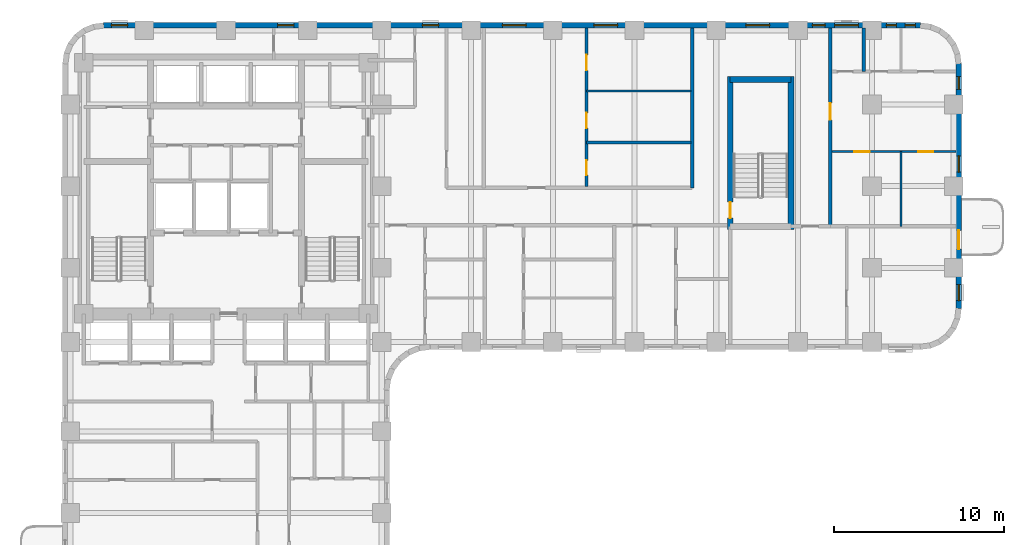
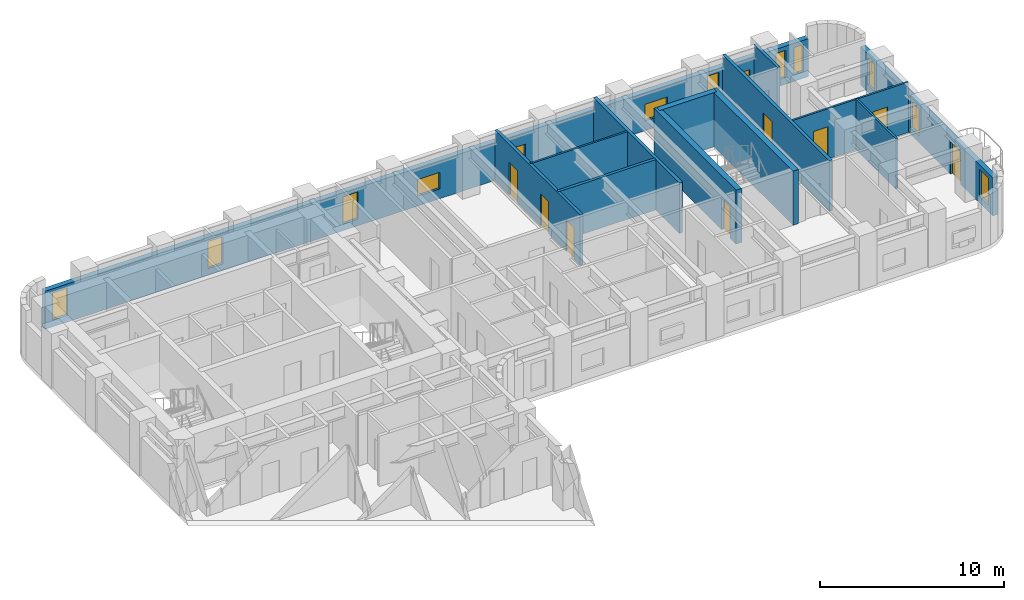
# One storey, part 7 of 11: 13 walls, 13 windows, 8 doors, 21 openings.
"""IFC4 building model written with IfcOpenShell, lengths in metres."""

from ifc_helpers import new_model, si_unit, direction, frame, frame_2d, origin, place, context, subcontext, project, spatial, rectangle, extrude, material, layer, layer_set, type_object, element, fill, save


model = new_model("IFC4")

# Units and contexts
model_context = context("Model", 3, precision=1e-05, world=origin(), true_north=direction((0.0, 1.0)))
body_context = subcontext(model_context, "Body", "Model", "MODEL_VIEW")
ifc_project = project(units=[si_unit("LENGTHUNIT", "METRE"), si_unit("AREAUNIT", "SQUARE_METRE"), si_unit("VOLUMEUNIT", "CUBIC_METRE"), si_unit("PLANEANGLEUNIT", "RADIAN"), si_unit("MASSUNIT", "GRAM", prefix="KILO")], contexts=[model_context])

# Site, building, storey
site_placement = place(None, origin())
site = spatial("IfcSite", under=ifc_project, at=site_placement, CompositionType="ELEMENT")
building_placement = place(site_placement, origin())
building = spatial("IfcBuilding", under=site, at=building_placement, Name="Orvandelia Arch Residences", CompositionType="ELEMENT")
storey_placement = place(building_placement, frame((0.0, 0.0, 53.800048828125)))
storey = spatial("IfcBuildingStorey", under=building, at=storey_placement, Name="L13", CompositionType="ELEMENT", Elevation=53.800048828125)

# Wall, opening, door
ifc_material_1 = material(Name="Concrete C50/60", Category="concrete")
ifc_layer_1 = layer(ifc_material_1, 0.35009765625, Name="Concrete C50/60", Category="concrete")
ifc_layer_set_1 = layer_set([ifc_layer_1], Name="Concrete C50/60")
wall_type_1 = type_object("IfcWallType", Name="WL-CORE-350", PredefinedType="SHEAR", material=ifc_layer_set_1)
wall_1_placement = place(storey_placement, frame((44.02001953125, 35.864990234375, 0.0), z_axis=(0.0, 0.0, 1.0), x_axis=(0.0, 1.0, 0.0)))
wall_1 = element("IfcWall", 1, at=wall_1_placement, inside=storey, type_object=wall_type_1, Name="East Stair Core Shear Wall L13-W", PredefinedType="SHEAR", context=body_context, shape_type="SweptSolid", body=[
    extrude(rectangle(XDim=8.969970703125, YDim=0.35009765625, at=frame_2d((4.48486328125, 0.0))), origin(), (0.0, 0.0, 1.0), 3.599853515625),
])
opening_1_placement = place(wall_1_placement, frame((0.64990234375, 0.0, 0.0)))
opening_1 = element("IfcOpeningElement", 2, at=opening_1_placement, cuts=wall_1, Name="Opening D7", PredefinedType="OPENING", context=body_context, shape_type="SweptSolid", body=[
    extrude(rectangle(XDim=0.949951171875, YDim=2.10009765625, at=frame_2d((0.47509765625, 1.050048828125))), frame((0.0, 0.18505859375, 0.0), z_axis=(0.0, -1.0, 0.0), x_axis=(1.0, 0.0, 0.0)), (0.0, 0.0, 1.0), 0.3701171875),
])
ifc_material_2 = material(Name="Pressurised Stairwell Fire Door")
door_type_1 = type_object("IfcDoorType", Name="DR-STAIR-950", OperationType="NOTDEFINED", PredefinedType="DOOR", material=ifc_material_2)
door_1_placement = place(opening_1_placement, origin())
door_1 = element("IfcDoor", 3, at=door_1_placement, inside=storey, type_object=door_type_1, Name="East Stairwell ST-3 Fire Door L13", OperationType="SINGLE_SWING_LEFT", OverallHeight=2.10009765625, OverallWidth=0.949951171875, PredefinedType="DOOR", context=body_context, shape_type="SweptSolid", body=[
    extrude(rectangle(XDim=0.949951171875, YDim=2.10009765625, at=frame_2d((0.47509765625, 1.050048828125))), frame((0.0, 0.02490234375, 0.0), z_axis=(0.0, -1.0, 0.0), x_axis=(1.0, 0.0, 0.0)), (0.0, 0.0, 1.0), 0.050048828125),
])
fill(opening_1, door_1)

# Walls
wall_2_placement = place(storey_placement, frame((47.60009765625, 35.864990234375, 0.0), z_axis=(0.0, 0.0, 1.0), x_axis=(0.0, 1.0, 0.0)))
element("IfcWall", 4, at=wall_2_placement, inside=storey, type_object=wall_type_1, Name="East Stair Core Shear Wall L13-E", PredefinedType="SHEAR", context=body_context, shape_type="SweptSolid", body=[
    extrude(rectangle(XDim=8.969970703125, YDim=0.35009765625, at=frame_2d((4.48486328125, 0.0))), origin(), (0.0, 0.0, 1.0), 3.599853515625),
])
wall_3_placement = place(storey_placement, frame((44.02001953125, 44.659912109375, 0.0), z_axis=(0.0, 0.0, 1.0), x_axis=(1.0, 0.0, 0.0)))
element("IfcWall", 5, at=wall_3_placement, inside=storey, type_object=wall_type_1, Name="East Stair Core Shear Wall L13-N", PredefinedType="SHEAR", context=body_context, shape_type="SweptSolid", body=[
    extrude(rectangle(XDim=3.580078125, YDim=0.35009765625, at=frame_2d((1.7900390625, 0.0))), origin(), (0.0, 0.0, 1.0), 3.599853515625),
])
ifc_material_3 = material(Name="Fire-Rated Corridor Partition")
ifc_layer_2 = layer(ifc_material_3, 0.199951171875, Name="Fire-Rated Corridor Partition")
ifc_layer_set_2 = layer_set([ifc_layer_2], Name="Fire-Rated Corridor Partition")
wall_type_2 = type_object("IfcWallType", Name="WL-CORR-200", PredefinedType="PARTITIONING", material=ifc_layer_set_2)
wall_4_placement = place(storey_placement, frame((41.780029296875, 38.300048828125, 0.0), z_axis=(0.0, 0.0, 1.0), x_axis=(0.0, 1.0, 0.0)))
element("IfcWall", 6, at=wall_4_placement, inside=storey, type_object=wall_type_2, Name="Interior Partition Wall WL-L13-ETV-W", PredefinedType="PARTITIONING", context=body_context, shape_type="SweptSolid", body=[
    extrude(rectangle(XDim=9.3798828125, YDim=0.199951171875, at=frame_2d((4.68994140625, 0.0))), origin(), (0.0, 0.0, 1.0), 3.349853515625),
])

# Wall, opening, door
wall_5_placement = place(storey_placement, frame((49.89990234375, 36.0400390625, 0.0), z_axis=(0.0, 0.0, 1.0), x_axis=(0.0, 1.0, 0.0)))
wall_5 = element("IfcWall", 7, at=wall_5_placement, inside=storey, type_object=wall_type_2, Name="Interior Partition Wall WL-L13-ETE-E", PredefinedType="PARTITIONING", context=body_context, shape_type="SweptSolid", body=[
    extrude(rectangle(XDim=11.639892578125, YDim=0.199951171875, at=frame_2d((5.81982421875, 0.0))), origin(), (0.0, 0.0, 1.0), 3.349853515625),
])
opening_2_placement = place(wall_5_placement, frame((6.25146484375, 0.0, 0.0)))
opening_2 = element("IfcOpeningElement", 8, at=opening_2_placement, cuts=wall_5, Name="Opening D1", PredefinedType="OPENING", context=body_context, shape_type="SweptSolid", body=[
    extrude(rectangle(XDim=0.97998046875, YDim=2.179931640625, at=frame_2d((0.489990234375, 1.08984375))), frame((0.0, 0.10986328125, 0.0), z_axis=(0.0, -1.0, 0.0), x_axis=(1.0, 0.0, 0.0)), (0.0, 0.0, 1.0), 0.219970703125),
])
ifc_material_4 = material(Name="Solid-Core Timber Acoustic Fire Door", Category="wood")
door_type_2 = type_object("IfcDoorType", Name="DR-ENT-980", OperationType="NOTDEFINED", PredefinedType="DOOR", material=ifc_material_4)
door_2_placement = place(opening_2_placement, origin())
door_2 = element("IfcDoor", 9, at=door_2_placement, inside=storey, type_object=door_type_2, Name="Unit L13-10 Entrance Door", OperationType="SINGLE_SWING_RIGHT", OverallHeight=2.179931640625, OverallWidth=0.97998046875, PredefinedType="DOOR", context=body_context, shape_type="SweptSolid", body=[
    extrude(rectangle(XDim=0.97998046875, YDim=2.179931640625, at=frame_2d((0.489990234375, 1.08984375))), frame((0.0, 0.02490234375, 0.0), z_axis=(0.0, -1.0, 0.0), x_axis=(1.0, 0.0, 0.0)), (0.0, 0.0, 1.0), 0.050048828125),
])
fill(opening_2, door_2)

# Wall, openings, windows
ifc_material_5 = material(Name="Precast concrete C40/50", Category="concrete")
ifc_layer_3 = layer(ifc_material_5, 0.320068359375, Name="Precast concrete C40/50", Category="concrete")
ifc_layer_set_3 = layer_set([ifc_layer_3], Name="Precast concrete C40/50")
wall_type_3 = type_object("IfcWallType", Name="WL-EXT-STONE-320", PredefinedType="STANDARD", material=ifc_layer_set_3)
wall_6_placement = place(storey_placement, frame((7.199951171875, 47.840087890625, 0.0), z_axis=(0.0, 0.0, 1.0), x_axis=(1.0, 0.0, 0.0)))
wall_6 = element("IfcWall", 10, at=wall_6_placement, inside=storey, type_object=wall_type_3, Name="Coral-Limestone Precast Facade Wall L13-007", PredefinedType="STANDARD", context=body_context, shape_type="SweptSolid", body=[
    extrude(rectangle(XDim=48.0, YDim=0.320068359375, at=frame_2d((24.0, 0.0))), origin(), (0.0, 0.0, 1.0), 2.530029296875),
])
opening_3_placement = place(wall_6_placement, frame((28.803466796875, 0.0, 0.64990234375)))
opening_3 = element("IfcOpeningElement", 11, at=opening_3_placement, cuts=wall_6, Name="Opening W10", PredefinedType="OPENING", context=body_context, shape_type="SweptSolid", body=[
    extrude(rectangle(XDim=1.39990234375, YDim=1.10009765625, at=frame_2d((0.699951171875, 0.550048828125))), frame((0.0, 0.169921875, 0.0), z_axis=(0.0, -1.0, 0.0), x_axis=(1.0, 0.0, 0.0)), (0.0, 0.0, 1.0), 0.340087890625),
])
opening_4_placement = place(wall_6_placement, frame((47.093994140625, 0.0, 0.449951171875)))
opening_4 = element("IfcOpeningElement", 12, at=opening_4_placement, cuts=wall_6, Name="Opening W12", PredefinedType="OPENING", context=body_context, shape_type="SweptSolid", body=[
    extrude(rectangle(XDim=0.60009765625, YDim=1.800048828125, at=frame_2d((0.300048828125, 0.89990234375))), frame((0.0, 0.169921875, 0.0), z_axis=(0.0, -1.0, 0.0), x_axis=(1.0, 0.0, 0.0)), (0.0, 0.0, 1.0), 0.340087890625),
])
opening_5_placement = place(wall_6_placement, frame((18.739990234375, 0.0, 0.449951171875)))
opening_5 = element("IfcOpeningElement", 13, at=opening_5_placement, cuts=wall_6, Name="Opening W4", PredefinedType="OPENING", context=body_context, shape_type="SweptSolid", body=[
    extrude(rectangle(XDim=0.949951171875, YDim=1.800048828125, at=frame_2d((0.47509765625, 0.89990234375))), frame((0.0, 0.169921875, 0.0), z_axis=(0.0, -1.0, 0.0), x_axis=(1.0, 0.0, 0.0)), (0.0, 0.0, 1.0), 0.340087890625),
])
opening_6_placement = place(wall_6_placement, frame((41.64990234375, 0.0, 0.449951171875)))
opening_6 = element("IfcOpeningElement", 14, at=opening_6_placement, cuts=wall_6, Name="Opening W11", PredefinedType="OPENING", context=body_context, shape_type="SweptSolid", body=[
    extrude(rectangle(XDim=0.75, YDim=1.800048828125, at=frame_2d((0.375, 0.89990234375))), frame((0.0, 0.169921875, 0.0), z_axis=(0.0, -1.0, 0.0), x_axis=(1.0, 0.0, 0.0)), (0.0, 0.0, 1.0), 0.340087890625),
])
opening_7_placement = place(wall_6_placement, frame((37.736083984375, 0.0, 0.64990234375)))
opening_7 = element("IfcOpeningElement", 15, at=opening_7_placement, cuts=wall_6, Name="Opening W10", PredefinedType="OPENING", context=body_context, shape_type="SweptSolid", body=[
    extrude(rectangle(XDim=1.39990234375, YDim=1.10009765625, at=frame_2d((0.699951171875, 0.550048828125))), frame((0.0, 0.169921875, 0.0), z_axis=(0.0, -1.0, 0.0), x_axis=(1.0, 0.0, 0.0)), (0.0, 0.0, 1.0), 0.340087890625),
])
opening_8_placement = place(wall_6_placement, frame((0.469970703125, 0.0, 0.449951171875)))
opening_8 = element("IfcOpeningElement", 16, at=opening_8_placement, cuts=wall_6, Name="Opening W4", PredefinedType="OPENING", context=body_context, shape_type="SweptSolid", body=[
    extrude(rectangle(XDim=0.949951171875, YDim=1.800048828125, at=frame_2d((0.47509765625, 0.89990234375))), frame((0.0, 0.169921875, 0.0), z_axis=(0.0, -1.0, 0.0), x_axis=(1.0, 0.0, 0.0)), (0.0, 0.0, 1.0), 0.340087890625),
])
opening_9_placement = place(wall_6_placement, frame((10.239990234375, 0.0, 0.449951171875)))
opening_9 = element("IfcOpeningElement", 17, at=opening_9_placement, cuts=wall_6, Name="Opening W4", PredefinedType="OPENING", context=body_context, shape_type="SweptSolid", body=[
    extrude(rectangle(XDim=0.949951171875, YDim=1.800048828125, at=frame_2d((0.47509765625, 0.89990234375))), frame((0.0, 0.169921875, 0.0), z_axis=(0.0, -1.0, 0.0), x_axis=(1.0, 0.0, 0.0)), (0.0, 0.0, 1.0), 0.340087890625),
])
opening_10_placement = place(wall_6_placement, frame((23.429931640625, 0.0, 0.64990234375)))
opening_10 = element("IfcOpeningElement", 18, at=opening_10_placement, cuts=wall_6, Name="Opening W10", PredefinedType="OPENING", context=body_context, shape_type="SweptSolid", body=[
    extrude(rectangle(XDim=1.39990234375, YDim=1.10009765625, at=frame_2d((0.699951171875, 0.550048828125))), frame((0.0, 0.169921875, 0.0), z_axis=(0.0, -1.0, 0.0), x_axis=(1.0, 0.0, 0.0)), (0.0, 0.0, 1.0), 0.340087890625),
])
opening_11_placement = place(wall_6_placement, frame((42.949951171875, 0.0, 0.64990234375)))
opening_11 = element("IfcOpeningElement", 19, at=opening_11_placement, cuts=wall_6, Name="Opening W10", PredefinedType="OPENING", context=body_context, shape_type="SweptSolid", body=[
    extrude(rectangle(XDim=1.39990234375, YDim=1.10009765625, at=frame_2d((0.699951171875, 0.550048828125))), frame((0.0, 0.169921875, 0.0), z_axis=(0.0, -1.0, 0.0), x_axis=(1.0, 0.0, 0.0)), (0.0, 0.0, 1.0), 0.340087890625),
])
opening_12_placement = place(wall_6_placement, frame((45.98388671875, 0.0, 0.449951171875)))
opening_12 = element("IfcOpeningElement", 20, at=opening_12_placement, cuts=wall_6, Name="Opening W12", PredefinedType="OPENING", context=body_context, shape_type="SweptSolid", body=[
    extrude(rectangle(XDim=0.60009765625, YDim=1.800048828125, at=frame_2d((0.300048828125, 0.89990234375))), frame((0.0, 0.169921875, 0.0), z_axis=(0.0, -1.0, 0.0), x_axis=(1.0, 0.0, 0.0)), (0.0, 0.0, 1.0), 0.340087890625),
])
ifc_material_6 = material(Name="Tempered Low-E Insulated Glazing", Category="glass")
window_type_1 = type_object("IfcWindowType", Name="WIN-BED-0750x1800", PartitioningType="SINGLE_PANEL", PredefinedType="WINDOW", material=ifc_material_6)
window_1_placement = place(opening_6_placement, origin())
window_1 = element("IfcWindow", 21, at=window_1_placement, inside=storey, type_object=window_type_1, Name="Recessed Punched Window L13-004", OverallHeight=1.800048828125, OverallWidth=0.75, PartitioningType="SINGLE_PANEL", PredefinedType="WINDOW", context=body_context, shape_type="SweptSolid", body=[
    extrude(rectangle(XDim=0.75, YDim=1.800048828125, at=frame_2d((0.375, 0.89990234375))), frame((0.0, 0.030029296875, 0.0), z_axis=(0.0, -1.0, 0.0), x_axis=(1.0, 0.0, 0.0)), (0.0, 0.0, 1.0), 0.06005859375),
])
fill(opening_6, window_1)
window_type_2 = type_object("IfcWindowType", Name="WIN-CLR-1400x1100", PartitioningType="SINGLE_PANEL", PredefinedType="WINDOW", material=ifc_material_6)
window_2_placement = place(opening_3_placement, origin())
window_2 = element("IfcWindow", 22, at=window_2_placement, inside=storey, type_object=window_type_2, Name="Recessed Punched Window L13-001", OverallHeight=1.10009765625, OverallWidth=1.39990234375, PartitioningType="SINGLE_PANEL", PredefinedType="WINDOW", context=body_context, shape_type="SweptSolid", body=[
    extrude(rectangle(XDim=1.39990234375, YDim=1.10009765625, at=frame_2d((0.699951171875, 0.550048828125))), frame((0.0, 0.030029296875, 0.0), z_axis=(0.0, -1.0, 0.0), x_axis=(1.0, 0.0, 0.0)), (0.0, 0.0, 1.0), 0.06005859375),
])
fill(opening_3, window_2)
window_3_placement = place(opening_7_placement, origin())
window_3 = element("IfcWindow", 23, at=window_3_placement, inside=storey, type_object=window_type_2, Name="Recessed Punched Window L13-005", OverallHeight=1.10009765625, OverallWidth=1.39990234375, PartitioningType="SINGLE_PANEL", PredefinedType="WINDOW", context=body_context, shape_type="SweptSolid", body=[
    extrude(rectangle(XDim=1.39990234375, YDim=1.10009765625, at=frame_2d((0.699951171875, 0.550048828125))), frame((0.0, 0.030029296875, 0.0), z_axis=(0.0, -1.0, 0.0), x_axis=(1.0, 0.0, 0.0)), (0.0, 0.0, 1.0), 0.06005859375),
])
fill(opening_7, window_3)
window_4_placement = place(opening_10_placement, origin())
window_4 = element("IfcWindow", 24, at=window_4_placement, inside=storey, type_object=window_type_2, Name="Recessed Punched Window L13-008", OverallHeight=1.10009765625, OverallWidth=1.39990234375, PartitioningType="SINGLE_PANEL", PredefinedType="WINDOW", context=body_context, shape_type="SweptSolid", body=[
    extrude(rectangle(XDim=1.39990234375, YDim=1.10009765625, at=frame_2d((0.699951171875, 0.550048828125))), frame((0.0, 0.030029296875, 0.0), z_axis=(0.0, -1.0, 0.0), x_axis=(1.0, 0.0, 0.0)), (0.0, 0.0, 1.0), 0.06005859375),
])
fill(opening_10, window_4)
window_5_placement = place(opening_11_placement, origin())
window_5 = element("IfcWindow", 25, at=window_5_placement, inside=storey, type_object=window_type_2, Name="Recessed Punched Window L13-009", OverallHeight=1.10009765625, OverallWidth=1.39990234375, PartitioningType="SINGLE_PANEL", PredefinedType="WINDOW", context=body_context, shape_type="SweptSolid", body=[
    extrude(rectangle(XDim=1.39990234375, YDim=1.10009765625, at=frame_2d((0.699951171875, 0.550048828125))), frame((0.0, 0.030029296875, 0.0), z_axis=(0.0, -1.0, 0.0), x_axis=(1.0, 0.0, 0.0)), (0.0, 0.0, 1.0), 0.06005859375),
])
fill(opening_11, window_5)
window_type_3 = type_object("IfcWindowType", Name="WIN-LAN-0600x1800", PartitioningType="SINGLE_PANEL", PredefinedType="WINDOW", material=ifc_material_6)
window_6_placement = place(opening_4_placement, origin())
window_6 = element("IfcWindow", 26, at=window_6_placement, inside=storey, type_object=window_type_3, Name="Recessed Punched Window L13-002", OverallHeight=1.800048828125, OverallWidth=0.60009765625, PartitioningType="SINGLE_PANEL", PredefinedType="WINDOW", context=body_context, shape_type="SweptSolid", body=[
    extrude(rectangle(XDim=0.60009765625, YDim=1.800048828125, at=frame_2d((0.300048828125, 0.89990234375))), frame((0.0, 0.030029296875, 0.0), z_axis=(0.0, -1.0, 0.0), x_axis=(1.0, 0.0, 0.0)), (0.0, 0.0, 1.0), 0.06005859375),
])
fill(opening_4, window_6)
window_7_placement = place(opening_12_placement, origin())
window_7 = element("IfcWindow", 27, at=window_7_placement, inside=storey, type_object=window_type_3, Name="Recessed Punched Window L13-010", OverallHeight=1.800048828125, OverallWidth=0.60009765625, PartitioningType="SINGLE_PANEL", PredefinedType="WINDOW", context=body_context, shape_type="SweptSolid", body=[
    extrude(rectangle(XDim=0.60009765625, YDim=1.800048828125, at=frame_2d((0.300048828125, 0.89990234375))), frame((0.0, 0.030029296875, 0.0), z_axis=(0.0, -1.0, 0.0), x_axis=(1.0, 0.0, 0.0)), (0.0, 0.0, 1.0), 0.06005859375),
])
fill(opening_12, window_7)
window_type_4 = type_object("IfcWindowType", Name="WIN-RES-0950x1800", PartitioningType="SINGLE_PANEL", PredefinedType="WINDOW", material=ifc_material_6)
window_8_placement = place(opening_5_placement, origin())
window_8 = element("IfcWindow", 28, at=window_8_placement, inside=storey, type_object=window_type_4, Name="Recessed Punched Window L13-003", OverallHeight=1.800048828125, OverallWidth=0.949951171875, PartitioningType="SINGLE_PANEL", PredefinedType="WINDOW", context=body_context, shape_type="SweptSolid", body=[
    extrude(rectangle(XDim=0.949951171875, YDim=1.800048828125, at=frame_2d((0.47509765625, 0.89990234375))), frame((0.0, 0.030029296875, 0.0), z_axis=(0.0, -1.0, 0.0), x_axis=(1.0, 0.0, 0.0)), (0.0, 0.0, 1.0), 0.06005859375),
])
fill(opening_5, window_8)
window_9_placement = place(opening_8_placement, origin())
window_9 = element("IfcWindow", 29, at=window_9_placement, inside=storey, type_object=window_type_4, Name="Recessed Punched Window L13-006", OverallHeight=1.800048828125, OverallWidth=0.949951171875, PartitioningType="SINGLE_PANEL", PredefinedType="WINDOW", context=body_context, shape_type="SweptSolid", body=[
    extrude(rectangle(XDim=0.949951171875, YDim=1.800048828125, at=frame_2d((0.47509765625, 0.89990234375))), frame((0.0, 0.030029296875, 0.0), z_axis=(0.0, -1.0, 0.0), x_axis=(1.0, 0.0, 0.0)), (0.0, 0.0, 1.0), 0.06005859375),
])
fill(opening_8, window_9)
window_10_placement = place(opening_9_placement, origin())
window_10 = element("IfcWindow", 30, at=window_10_placement, inside=storey, type_object=window_type_4, Name="Recessed Punched Window L13-007", OverallHeight=1.800048828125, OverallWidth=0.949951171875, PartitioningType="SINGLE_PANEL", PredefinedType="WINDOW", context=body_context, shape_type="SweptSolid", body=[
    extrude(rectangle(XDim=0.949951171875, YDim=1.800048828125, at=frame_2d((0.47509765625, 0.89990234375))), frame((0.0, 0.030029296875, 0.0), z_axis=(0.0, -1.0, 0.0), x_axis=(1.0, 0.0, 0.0)), (0.0, 0.0, 1.0), 0.06005859375),
])
fill(opening_9, window_10)

# Wall, openings, door, windows
wall_7_placement = place(storey_placement, frame((57.43994140625, 45.60009765625, 0.0), z_axis=(0.0, 0.0, 1.0), x_axis=(0.0, -1.0, 0.0)))
wall_7 = element("IfcWall", 31, at=wall_7_placement, inside=storey, type_object=wall_type_3, Name="Coral-Limestone Precast Facade Wall L13-014", PredefinedType="STANDARD", context=body_context, shape_type="SweptSolid", body=[
    extrude(rectangle(XDim=14.400146484375, YDim=0.320068359375, at=frame_2d((7.2001953125, 0.0))), origin(), (0.0, 0.0, 1.0), 2.530029296875),
])
opening_13_placement = place(wall_7_placement, frame((9.800048828125, 0.0, 0.0)))
opening_13 = element("IfcOpeningElement", 32, at=opening_13_placement, cuts=wall_7, Name="Opening BD1", PredefinedType="OPENING", context=body_context, shape_type="SweptSolid", body=[
    extrude(rectangle(XDim=1.10009765625, YDim=2.14990234375, at=frame_2d((0.550048828125, 1.074951171875))), frame((0.0, 0.169921875, 0.0), z_axis=(0.0, -1.0, 0.0), x_axis=(1.0, 0.0, 0.0)), (0.0, 0.0, 1.0), 0.340087890625),
])
opening_14_placement = place(wall_7_placement, frame((5.427978515625, 0.0, 0.449951171875)))
opening_14 = element("IfcOpeningElement", 33, at=opening_14_placement, cuts=wall_7, Name="Opening W4", PredefinedType="OPENING", context=body_context, shape_type="SweptSolid", body=[
    extrude(rectangle(XDim=0.949951171875, YDim=1.800048828125, at=frame_2d((0.47509765625, 0.89990234375))), frame((0.0, 0.169921875, 0.0), z_axis=(0.0, -1.0, 0.0), x_axis=(1.0, 0.0, 0.0)), (0.0, 0.0, 1.0), 0.340087890625),
])
opening_15_placement = place(wall_7_placement, frame((12.97998046875, 0.0, 0.449951171875)))
opening_15 = element("IfcOpeningElement", 34, at=opening_15_placement, cuts=wall_7, Name="Opening W4", PredefinedType="OPENING", context=body_context, shape_type="SweptSolid", body=[
    extrude(rectangle(XDim=0.949951171875, YDim=1.800048828125, at=frame_2d((0.47509765625, 0.89990234375))), frame((0.0, 0.169921875, 0.0), z_axis=(0.0, -1.0, 0.0), x_axis=(1.0, 0.0, 0.0)), (0.0, 0.0, 1.0), 0.340087890625),
])
opening_16_placement = place(wall_7_placement, frame((0.7705078125, 0.0, 0.449951171875)))
opening_16 = element("IfcOpeningElement", 35, at=opening_16_placement, cuts=wall_7, Name="Opening W11", PredefinedType="OPENING", context=body_context, shape_type="SweptSolid", body=[
    extrude(rectangle(XDim=0.75, YDim=1.800048828125, at=frame_2d((0.375, 0.89990234375))), frame((0.0, 0.169921875, 0.0), z_axis=(0.0, -1.0, 0.0), x_axis=(1.0, 0.0, 0.0)), (0.0, 0.0, 1.0), 0.340087890625),
])
ifc_material_7 = material(Name="Thermally Broken Aluminium Glazed Door", Category="aluminium")
door_type_3 = type_object("IfcDoorType", Name="DR-BAL-GLAZ-1100", OperationType="NOTDEFINED", PredefinedType="DOOR", material=ifc_material_7)
door_3_placement = place(opening_13_placement, origin())
door_3 = element("IfcDoor", 36, at=door_3_placement, inside=storey, type_object=door_type_3, Name="Tree Balcony Glazed Door BAL-L13-E1", OperationType="SINGLE_SWING_LEFT", OverallHeight=2.14990234375, OverallWidth=1.10009765625, PredefinedType="DOOR", context=body_context, shape_type="SweptSolid", body=[
    extrude(rectangle(XDim=1.10009765625, YDim=2.14990234375, at=frame_2d((0.550048828125, 1.074951171875))), frame((0.0, 0.02490234375, 0.0), z_axis=(0.0, -1.0, 0.0), x_axis=(1.0, 0.0, 0.0)), (0.0, 0.0, 1.0), 0.050048828125),
])
fill(opening_13, door_3)
window_11_placement = place(opening_16_placement, origin())
window_11 = element("IfcWindow", 37, at=window_11_placement, inside=storey, type_object=window_type_1, Name="Recessed Punched Window L13-013", OverallHeight=1.800048828125, OverallWidth=0.75, PartitioningType="SINGLE_PANEL", PredefinedType="WINDOW", context=body_context, shape_type="SweptSolid", body=[
    extrude(rectangle(XDim=0.75, YDim=1.800048828125, at=frame_2d((0.375, 0.89990234375))), frame((0.0, 0.030029296875, 0.0), z_axis=(0.0, -1.0, 0.0), x_axis=(1.0, 0.0, 0.0)), (0.0, 0.0, 1.0), 0.06005859375),
])
fill(opening_16, window_11)
window_12_placement = place(opening_14_placement, origin())
window_12 = element("IfcWindow", 38, at=window_12_placement, inside=storey, type_object=window_type_4, Name="Recessed Punched Window L13-011", OverallHeight=1.800048828125, OverallWidth=0.949951171875, PartitioningType="SINGLE_PANEL", PredefinedType="WINDOW", context=body_context, shape_type="SweptSolid", body=[
    extrude(rectangle(XDim=0.949951171875, YDim=1.800048828125, at=frame_2d((0.47509765625, 0.89990234375))), frame((0.0, 0.030029296875, 0.0), z_axis=(0.0, -1.0, 0.0), x_axis=(1.0, 0.0, 0.0)), (0.0, 0.0, 1.0), 0.06005859375),
])
fill(opening_14, window_12)
window_13_placement = place(opening_15_placement, origin())
window_13 = element("IfcWindow", 39, at=window_13_placement, inside=storey, type_object=window_type_4, Name="Recessed Punched Window L13-012", OverallHeight=1.800048828125, OverallWidth=0.949951171875, PartitioningType="SINGLE_PANEL", PredefinedType="WINDOW", context=body_context, shape_type="SweptSolid", body=[
    extrude(rectangle(XDim=0.949951171875, YDim=1.800048828125, at=frame_2d((0.47509765625, 0.89990234375))), frame((0.0, 0.030029296875, 0.0), z_axis=(0.0, -1.0, 0.0), x_axis=(1.0, 0.0, 0.0)), (0.0, 0.0, 1.0), 0.06005859375),
])
fill(opening_15, window_13)

# Wall
ifc_material_8 = material(Name="Lightweight Gypsum Stud Partition")
ifc_layer_4 = layer(ifc_material_8, 0.1201171875, Name="Lightweight Gypsum Stud Partition")
ifc_layer_set_4 = layer_set([ifc_layer_4], Name="Lightweight Gypsum Stud Partition")
wall_type_4 = type_object("IfcWallType", Name="WL-PART-120", PredefinedType="PARTITIONING", material=ifc_layer_set_4)
wall_8_placement = place(storey_placement, frame((35.576904296875, 43.99609375, 0.0), z_axis=(0.0, 0.0, 1.0), x_axis=(1.0, 0.0, 0.0)))
element("IfcWall", 40, at=wall_8_placement, inside=storey, type_object=wall_type_4, Name="Interior Partition Wall WL-L13-U09-H2", PredefinedType="PARTITIONING", context=body_context, shape_type="SweptSolid", body=[
    extrude(rectangle(XDim=6.123046875, YDim=0.1201171875, at=frame_2d((3.0615234375, 0.0))), origin(), (0.0, 0.0, 1.0), 3.349853515625),
])

# Wall, openings, doors
wall_9_placement = place(storey_placement, frame((50.0, 40.424072265625, 0.0), z_axis=(0.0, 0.0, 1.0), x_axis=(1.0, 0.0, 0.0)))
wall_9 = element("IfcWall", 41, at=wall_9_placement, inside=storey, type_object=wall_type_4, Name="Interior Partition Wall WL-L13-U10-HB", PredefinedType="PARTITIONING", context=body_context, shape_type="SweptSolid", body=[
    extrude(rectangle(XDim=7.280029296875, YDim=0.1201171875, at=frame_2d((3.64013671875, 0.0))), origin(), (0.0, 0.0, 1.0), 3.349853515625),
])
opening_17_placement = place(wall_9_placement, frame((1.30419921875, 0.0, 0.0)))
opening_17 = element("IfcOpeningElement", 42, at=opening_17_placement, cuts=wall_9, Name="Opening D3", PredefinedType="OPENING", context=body_context, shape_type="SweptSolid", body=[
    extrude(rectangle(XDim=0.89990234375, YDim=2.14990234375, at=frame_2d((0.449951171875, 1.074951171875))), frame((0.0, 0.070068359375, 0.0), z_axis=(0.0, -1.0, 0.0), x_axis=(1.0, 0.0, 0.0)), (0.0, 0.0, 1.0), 0.14013671875),
])
opening_18_placement = place(wall_9_placement, frame((5.056884765625, 0.0, 0.0)))
opening_18 = element("IfcOpeningElement", 43, at=opening_18_placement, cuts=wall_9, Name="Opening D3", PredefinedType="OPENING", context=body_context, shape_type="SweptSolid", body=[
    extrude(rectangle(XDim=0.89990234375, YDim=2.14990234375, at=frame_2d((0.449951171875, 1.074951171875))), frame((0.0, 0.070068359375, 0.0), z_axis=(0.0, -1.0, 0.0), x_axis=(1.0, 0.0, 0.0)), (0.0, 0.0, 1.0), 0.14013671875),
])
ifc_material_9 = material(Name="Engineered Timber Flush Door", Category="wood")
door_type_4 = type_object("IfcDoorType", Name="DR-INT-900", OperationType="NOTDEFINED", PredefinedType="DOOR", material=ifc_material_9)
door_4_placement = place(opening_17_placement, origin())
door_4 = element("IfcDoor", 44, at=door_4_placement, inside=storey, type_object=door_type_4, Name="DR-L13-U10-STDY", OperationType="SINGLE_SWING_RIGHT", OverallHeight=2.14990234375, OverallWidth=0.89990234375, PredefinedType="DOOR", context=body_context, shape_type="SweptSolid", body=[
    extrude(rectangle(XDim=0.89990234375, YDim=2.14990234375, at=frame_2d((0.449951171875, 1.074951171875))), frame((0.0, 0.02490234375, 0.0), z_axis=(0.0, -1.0, 0.0), x_axis=(1.0, 0.0, 0.0)), (0.0, 0.0, 1.0), 0.050048828125),
])
fill(opening_17, door_4)
door_5_placement = place(opening_18_placement, origin())
door_5 = element("IfcDoor", 45, at=door_5_placement, inside=storey, type_object=door_type_4, Name="DR-L13-U10-BD2", OperationType="SINGLE_SWING_LEFT", OverallHeight=2.14990234375, OverallWidth=0.89990234375, PredefinedType="DOOR", context=body_context, shape_type="SweptSolid", body=[
    extrude(rectangle(XDim=0.89990234375, YDim=2.14990234375, at=frame_2d((0.449951171875, 1.074951171875))), frame((0.0, 0.02490234375, 0.0), z_axis=(0.0, -1.0, 0.0), x_axis=(1.0, 0.0, 0.0)), (0.0, 0.0, 1.0), 0.050048828125),
])
fill(opening_18, door_5)

# Wall
wall_10_placement = place(storey_placement, frame((54.048095703125, 36.0400390625, 0.0), z_axis=(0.0, 0.0, 1.0), x_axis=(0.0, 1.0, 0.0)))
element("IfcWall", 46, at=wall_10_placement, inside=storey, type_object=wall_type_4, Name="Interior Partition Wall WL-L13-U10-VB", PredefinedType="PARTITIONING", context=body_context, shape_type="SweptSolid", body=[
    extrude(rectangle(XDim=4.384033203125, YDim=0.1201171875, at=frame_2d((2.19189453125, 0.0))), origin(), (0.0, 0.0, 1.0), 3.349853515625),
])

# Wall, openings, doors
ifc_material_10 = material(Name="Moisture-Resistant Plumbing Wall")
ifc_layer_5 = layer(ifc_material_10, 0.179931640625, Name="Moisture-Resistant Plumbing Wall")
ifc_layer_set_5 = layer_set([ifc_layer_5], Name="Moisture-Resistant Plumbing Wall")
wall_type_5 = type_object("IfcWallType", Name="WL-WET-180", PredefinedType="PLUMBINGWALL", material=ifc_layer_set_5)
wall_11_placement = place(storey_placement, frame((35.576904296875, 38.3798828125, 0.0), z_axis=(0.0, 0.0, 1.0), x_axis=(0.0, 1.0, 0.0)))
wall_11 = element("IfcWall", 47, at=wall_11_placement, inside=storey, type_object=wall_type_5, Name="Interior Partition Wall WL-L13-U09-VT", PredefinedType="PLUMBINGWALL", context=body_context, shape_type="SweptSolid", body=[
    extrude(rectangle(XDim=9.300048828125, YDim=0.179931640625, at=frame_2d((4.64990234375, 0.0))), origin(), (0.0, 0.0, 1.0), 3.349853515625),
])
opening_19_placement = place(wall_11_placement, frame((0.66748046875, 0.0, 0.0)))
opening_19 = element("IfcOpeningElement", 48, at=opening_19_placement, cuts=wall_11, Name="Opening D4", PredefinedType="OPENING", context=body_context, shape_type="SweptSolid", body=[
    extrude(rectangle(XDim=0.860107421875, YDim=2.10009765625, at=frame_2d((0.43017578125, 1.050048828125))), frame((0.0, 0.10009765625, 0.0), z_axis=(0.0, -1.0, 0.0), x_axis=(1.0, 0.0, 0.0)), (0.0, 0.0, 1.0), 0.199951171875),
])
opening_20_placement = place(wall_11_placement, frame((3.430419921875, 0.0, 0.0)))
opening_20 = element("IfcOpeningElement", 49, at=opening_20_placement, cuts=wall_11, Name="Opening D3", PredefinedType="OPENING", context=body_context, shape_type="SweptSolid", body=[
    extrude(rectangle(XDim=0.89990234375, YDim=2.14990234375, at=frame_2d((0.449951171875, 1.074951171875))), frame((0.0, 0.10009765625, 0.0), z_axis=(0.0, -1.0, 0.0), x_axis=(1.0, 0.0, 0.0)), (0.0, 0.0, 1.0), 0.199951171875),
])
opening_21_placement = place(wall_11_placement, frame((6.828369140625, 0.0, 0.0)))
opening_21 = element("IfcOpeningElement", 50, at=opening_21_placement, cuts=wall_11, Name="Opening D3", PredefinedType="OPENING", context=body_context, shape_type="SweptSolid", body=[
    extrude(rectangle(XDim=0.89990234375, YDim=2.14990234375, at=frame_2d((0.449951171875, 1.074951171875))), frame((0.0, 0.10009765625, 0.0), z_axis=(0.0, -1.0, 0.0), x_axis=(1.0, 0.0, 0.0)), (0.0, 0.0, 1.0), 0.199951171875),
])
door_6_placement = place(opening_20_placement, origin())
door_6 = element("IfcDoor", 51, at=door_6_placement, inside=storey, type_object=door_type_4, Name="DR-L13-U09-KIT", OperationType="SINGLE_SWING_LEFT", OverallHeight=2.14990234375, OverallWidth=0.89990234375, PredefinedType="DOOR", context=body_context, shape_type="SweptSolid", body=[
    extrude(rectangle(XDim=0.89990234375, YDim=2.14990234375, at=frame_2d((0.449951171875, 1.074951171875))), frame((0.0, 0.02490234375, 0.0), z_axis=(0.0, -1.0, 0.0), x_axis=(1.0, 0.0, 0.0)), (0.0, 0.0, 1.0), 0.050048828125),
])
fill(opening_20, door_6)
door_7_placement = place(opening_21_placement, origin())
door_7 = element("IfcDoor", 52, at=door_7_placement, inside=storey, type_object=door_type_4, Name="DR-L13-U09-BD1", OperationType="SINGLE_SWING_RIGHT", OverallHeight=2.14990234375, OverallWidth=0.89990234375, PredefinedType="DOOR", context=body_context, shape_type="SweptSolid", body=[
    extrude(rectangle(XDim=0.89990234375, YDim=2.14990234375, at=frame_2d((0.449951171875, 1.074951171875))), frame((0.0, 0.02490234375, 0.0), z_axis=(0.0, -1.0, 0.0), x_axis=(1.0, 0.0, 0.0)), (0.0, 0.0, 1.0), 0.050048828125),
])
fill(opening_21, door_7)
ifc_material_11 = material(Name="Moisture-Sealed Timber Bathroom Door", Category="wood")
door_type_5 = type_object("IfcDoorType", Name="DR-WET-900", OperationType="NOTDEFINED", PredefinedType="DOOR", material=ifc_material_11)
door_8_placement = place(opening_19_placement, origin())
door_8 = element("IfcDoor", 53, at=door_8_placement, inside=storey, type_object=door_type_5, Name="DR-L13-U09-BTH", OperationType="SINGLE_SWING_RIGHT", OverallHeight=2.10009765625, OverallWidth=0.860107421875, PredefinedType="DOOR", context=body_context, shape_type="SweptSolid", body=[
    extrude(rectangle(XDim=0.860107421875, YDim=2.10009765625, at=frame_2d((0.43017578125, 1.050048828125))), frame((0.0, 0.02490234375, 0.0), z_axis=(0.0, -1.0, 0.0), x_axis=(1.0, 0.0, 0.0)), (0.0, 0.0, 1.0), 0.050048828125),
])
fill(opening_19, door_8)

# Walls
wall_12_placement = place(storey_placement, frame((35.576904296875, 40.962890625, 0.0), z_axis=(0.0, 0.0, 1.0), x_axis=(1.0, 0.0, 0.0)))
element("IfcWall", 54, at=wall_12_placement, inside=storey, type_object=wall_type_5, Name="Interior Partition Wall WL-L13-U09-H1", PredefinedType="PLUMBINGWALL", context=body_context, shape_type="SweptSolid", body=[
    extrude(rectangle(XDim=6.123046875, YDim=0.179931640625, at=frame_2d((3.0615234375, 0.0))), origin(), (0.0, 0.0, 1.0), 3.349853515625),
])
wall_13_placement = place(storey_placement, frame((51.862060546875, 45.138916015625, 0.0), z_axis=(0.0, 0.0, 1.0), x_axis=(0.0, 1.0, 0.0)))
element("IfcWall", 55, at=wall_13_placement, inside=storey, type_object=wall_type_5, Name="Interior Partition Wall WL-L13-U10-V1", PredefinedType="PLUMBINGWALL", context=body_context, shape_type="SweptSolid", body=[
    extrude(rectangle(XDim=2.541015625, YDim=0.179931640625, at=frame_2d((1.2705078125, 0.0))), origin(), (0.0, 0.0, 1.0), 3.349853515625),
])

save(model, "model.ifc")
